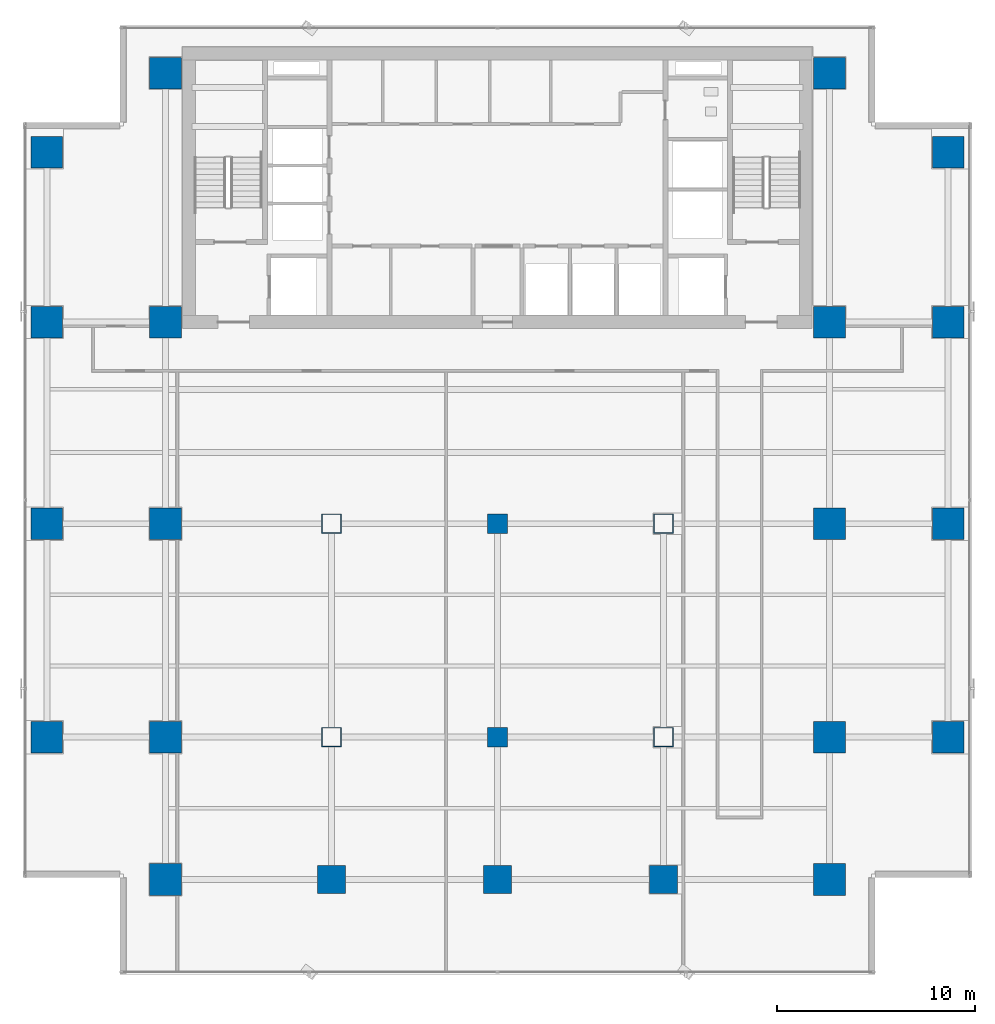
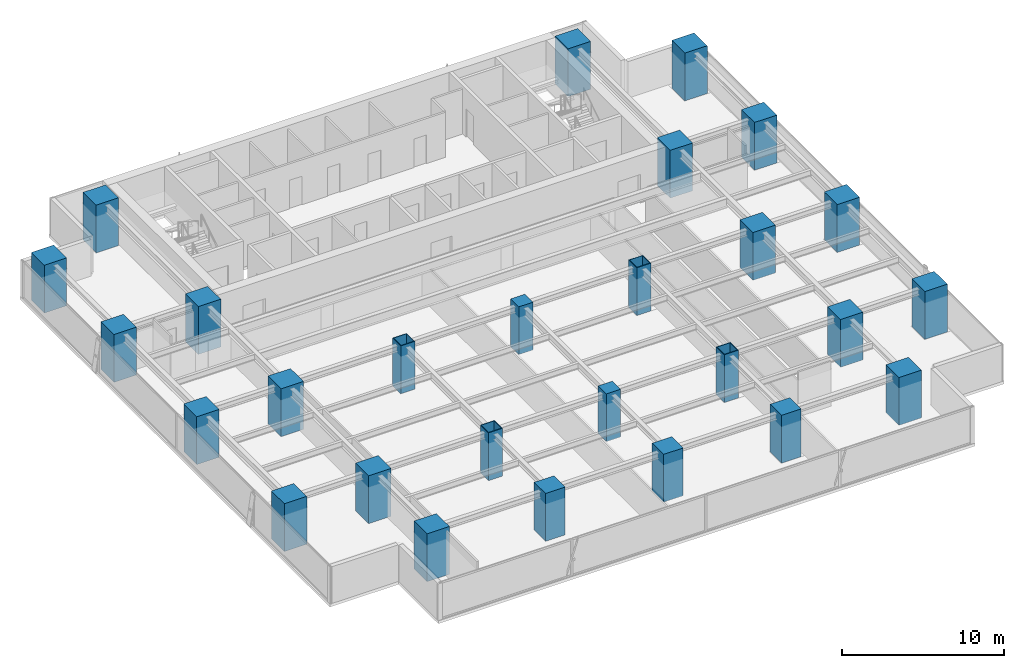
# One storey, part 1 of 27: 27 columns.
"""IFC4 building model written with IfcOpenShell, lengths in metres."""

from ifc_helpers import new_model, si_unit, direction, frame, origin, origin_2d, place, context, subcontext, project, spatial, rectangle, hollow_rectangle, extrude, source, transform, mapped, material, material_profile, profile_set, type_object, element, save


model = new_model("IFC4")

# Units and contexts
model_context = context("Model", 3, precision=1e-05, world=origin(), true_north=direction((0.0, 1.0)))
body_context = subcontext(model_context, "Body", "Model", "MODEL_VIEW")
ifc_project = project(units=[si_unit("LENGTHUNIT", "METRE"), si_unit("AREAUNIT", "SQUARE_METRE"), si_unit("VOLUMEUNIT", "CUBIC_METRE"), si_unit("PLANEANGLEUNIT", "RADIAN"), si_unit("MASSUNIT", "GRAM", prefix="KILO")], contexts=[model_context])

# Site, building, storey
site_placement = place(None, origin())
site = spatial("IfcSite", under=ifc_project, at=site_placement, CompositionType="ELEMENT")
building_placement = place(site_placement, origin())
building = spatial("IfcBuilding", under=site, at=building_placement, Name="Sumidabori Civic Tower", CompositionType="ELEMENT")
storey_placement = place(building_placement, frame((0.0, 0.0, 138.800048828125)))
storey = spatial("IfcBuildingStorey", under=building, at=storey_placement, Name="L35", CompositionType="ELEMENT", Elevation=138.800048828125)

# Columns
ifc_material_1 = material(Name="Concrete C60/75", Category="concrete")
ifc_material_profile_1 = material_profile(ifc_material_1, rectangle(XDim=1.60009765625, YDim=1.60009765625, at=origin_2d()), Name="RC 1600x1600")
ifc_profile_set_1 = profile_set([ifc_material_profile_1], Name="Concrete C60/75")
column_type_1 = type_object("IfcColumnType", Name="CL-MEGA-1600", PredefinedType="COLUMN", material=ifc_profile_set_1)
shared_shape_1 = source(origin(), body_context, "Body", "SweptSolid", [
    extrude(rectangle(XDim=1.60009765625, YDim=1.60009765625, at=origin_2d()), origin(), (0.0, 0.0, 1.0), 3.599853515625),
])
for number, where, z_axis, x_axis, name in (
    (1, (-16.800048828125, -18.0, 0.0), (0.0, 0.0, 1.0), (1.0, 0.0, 0.0), "Column MC-W16-Y18S L35"),
    (2, (-16.800048828125, -10.800048828125, 0.0), (0.0, 0.0, 1.0), (1.0, 0.0, 0.0), "Column MC-W16-Y11S L35"),
    (3, (-16.800048828125, 0.0, 0.0), (0.0, 0.0, 1.0), (1.0, 0.0, 0.0), "Column MC-W16-Y00 L35"),
    (4, (-16.800048828125, 10.199951171875, 0.0), (0.0, 0.0, 1.0), (1.0, 0.0, 0.0), "Column MC-W16-Y10N L35"),
    (5, (-16.800048828125, 22.800048828125, 0.0), (0.0, 0.0, 1.0), (1.0, 0.0, 0.0), "Column MC-W16-Y23N L35"),
    (6, (16.800048828125, -18.0, 0.0), (0.0, 0.0, 1.0), (1.0, 0.0, 0.0), "Column MC-E16-Y18S L35"),
    (7, (16.800048828125, -10.800048828125, 0.0), (0.0, 0.0, 1.0), (1.0, 0.0, 0.0), "Column MC-E16-Y11S L35"),
    (8, (16.800048828125, 0.0, 0.0), (0.0, 0.0, 1.0), (1.0, 0.0, 0.0), "Column MC-E16-Y00 L35"),
    (9, (16.800048828125, 10.199951171875, 0.0), (0.0, 0.0, 1.0), (1.0, 0.0, 0.0), "Column MC-E16-Y10N L35"),
    (10, (16.800048828125, 22.800048828125, 0.0), (0.0, 0.0, 1.0), (1.0, 0.0, 0.0), "Column MC-E16-Y23N L35"),
    (11, (-22.800048828125, -10.800048828125, 0.0), (0.0, 0.0, 1.0), (1.0, 0.0, 0.0), "Column MC-W23-Y11S L35"),
    (12, (-22.800048828125, 0.0, 0.0), (0.0, 0.0, 1.0), (1.0, 0.0, 0.0), "Column MC-W23-Y00 L35"),
    (13, (-22.800048828125, 10.199951171875, 0.0), (0.0, 0.0, 1.0), (1.0, 0.0, 0.0), "Column MC-W23-Y10N L35"),
    (14, (-22.800048828125, 18.800048828125, 0.0), (0.0, 0.0, 1.0), (1.0, 0.0, 0.0), "Column MC-W23-Y19N L35"),
    (15, (22.800048828125, -10.800048828125, 0.0), (0.0, 0.0, 1.0), (1.0, 0.0, 0.0), "Column MC-E23-Y11S L35"),
    (16, (22.800048828125, 0.0, 0.0), (0.0, 0.0, 1.0), (1.0, 0.0, 0.0), "Column MC-E23-Y00 L35"),
    (17, (22.800048828125, 10.199951171875, 0.0), (0.0, 0.0, 1.0), (1.0, 0.0, 0.0), "Column MC-E23-Y10N L35"),
    (18, (22.800048828125, 18.800048828125, 0.0), (0.0, 0.0, 1.0), (1.0, 0.0, 0.0), "Column MC-E23-Y19N L35"),
):
    element("IfcColumn", number, at=place(storey_placement, frame(where, z_axis=z_axis, x_axis=x_axis)), inside=storey, type_object=column_type_1, Name=name, PredefinedType="COLUMN", context=body_context, shape_type="MappedRepresentation", body=[
        mapped(shared_shape_1, transform((0.0, 0.0, 0.0), x_axis=(1.0, 0.0, 0.0), y_axis=(0.0, 1.0, 0.0), z_axis=(0.0, 0.0, 1.0), scale=1.0)),
    ])
ifc_material_2 = material(Name="Steel SM570", Category="steel")
ifc_material_profile_2 = material_profile(ifc_material_2, hollow_rectangle(XDim=1.0, YDim=1.0, WallThickness=0.044921875, at=origin_2d()), Name="SHS 1000x1000x45")
ifc_profile_set_2 = profile_set([ifc_material_profile_2], Name="Steel SM570")
column_type_2 = type_object("IfcColumnType", Name="CL-PORTAL-SHS1000", PredefinedType="COLUMN", material=ifc_profile_set_2)
shared_shape_2 = source(origin(), body_context, "Body", "SweptSolid", [
    extrude(hollow_rectangle(XDim=1.0, YDim=1.0, WallThickness=0.044921875, at=origin_2d()), origin(), (0.0, 0.0, 1.0), 3.599853515625),
])
for number, where, z_axis, x_axis, name in (
    (19, (-8.39990234375, 0.0, 0.0), (0.0, 0.0, 1.0), (1.0, 0.0, 0.0), "Column MC-W08-Y00 L35"),
    (20, (-8.39990234375, -10.800048828125, 0.0), (0.0, 0.0, 1.0), (1.0, 0.0, 0.0), "Column MC-W08-Y11S L35"),
    (21, (8.39990234375, 0.0, 0.0), (0.0, 0.0, 1.0), (1.0, 0.0, 0.0), "Column MC-E08-Y00 L35"),
    (22, (8.39990234375, -10.800048828125, 0.0), (0.0, 0.0, 1.0), (1.0, 0.0, 0.0), "Column MC-E08-Y11S L35"),
):
    element("IfcColumn", number, at=place(storey_placement, frame(where, z_axis=z_axis, x_axis=x_axis)), inside=storey, type_object=column_type_2, Name=name, PredefinedType="COLUMN", context=body_context, shape_type="MappedRepresentation", body=[
        mapped(shared_shape_2, transform((0.0, 0.0, 0.0), x_axis=(1.0, 0.0, 0.0), y_axis=(0.0, 1.0, 0.0), z_axis=(0.0, 0.0, 1.0), scale=1.0)),
    ])
ifc_material_profile_3 = material_profile(ifc_material_1, rectangle(XDim=1.39990234375, YDim=1.39990234375, at=origin_2d()), Name="RC 1400x1400")
ifc_profile_set_3 = profile_set([ifc_material_profile_3], Name="Concrete C60/75")
column_type_3 = type_object("IfcColumnType", Name="CL-MEGA-1400", PredefinedType="COLUMN", material=ifc_profile_set_3)
shared_shape_3 = source(origin(), body_context, "Body", "SweptSolid", [
    extrude(rectangle(XDim=1.39990234375, YDim=1.39990234375, at=origin_2d()), origin(), (0.0, 0.0, 1.0), 3.599853515625),
])
for number, where, z_axis, x_axis, name in (
    (23, (-8.39990234375, -18.0, 0.0), (0.0, 0.0, 1.0), (1.0, 0.0, 0.0), "Column MC-W08-Y18S L35"),
    (24, (8.39990234375, -18.0, 0.0), (0.0, 0.0, 1.0), (1.0, 0.0, 0.0), "Column MC-E08-Y18S L35"),
    (25, (0.0, -18.0, 0.0), (0.0, 0.0, 1.0), (1.0, 0.0, 0.0), "Column MC-C00-Y18S L35"),
):
    element("IfcColumn", number, at=place(storey_placement, frame(where, z_axis=z_axis, x_axis=x_axis)), inside=storey, type_object=column_type_3, Name=name, PredefinedType="COLUMN", context=body_context, shape_type="MappedRepresentation", body=[
        mapped(shared_shape_3, transform((0.0, 0.0, 0.0), x_axis=(1.0, 0.0, 0.0), y_axis=(0.0, 1.0, 0.0), z_axis=(0.0, 0.0, 1.0), scale=1.0)),
    ])
ifc_material_3 = material(Name="Concrete C50/60", Category="concrete")
ifc_material_profile_4 = material_profile(ifc_material_3, rectangle(XDim=1.0, YDim=1.0, at=origin_2d()), Name="RC 1000x1000")
ifc_profile_set_4 = profile_set([ifc_material_profile_4], Name="Concrete C50/60")
column_type_4 = type_object("IfcColumnType", Name="CL-INT-1000", PredefinedType="COLUMN", material=ifc_profile_set_4)
shared_shape_4 = source(origin(), body_context, "Body", "SweptSolid", [
    extrude(rectangle(XDim=1.0, YDim=1.0, at=origin_2d()), origin(), (0.0, 0.0, 1.0), 3.599853515625),
])
for number, where, z_axis, x_axis, name in (
    (26, (0.0, -10.800048828125, 0.0), (0.0, 0.0, 1.0), (1.0, 0.0, 0.0), "Column MC-C00-Y11S L35"),
    (27, (0.0, 0.0, 0.0), (0.0, 0.0, 1.0), (1.0, 0.0, 0.0), "Column MC-C00-Y00 L35"),
):
    element("IfcColumn", number, at=place(storey_placement, frame(where, z_axis=z_axis, x_axis=x_axis)), inside=storey, type_object=column_type_4, Name=name, PredefinedType="COLUMN", context=body_context, shape_type="MappedRepresentation", body=[
        mapped(shared_shape_4, transform((0.0, 0.0, 0.0), x_axis=(1.0, 0.0, 0.0), y_axis=(0.0, 1.0, 0.0), z_axis=(0.0, 0.0, 1.0), scale=1.0)),
    ])

save(model, "model.ifc")
